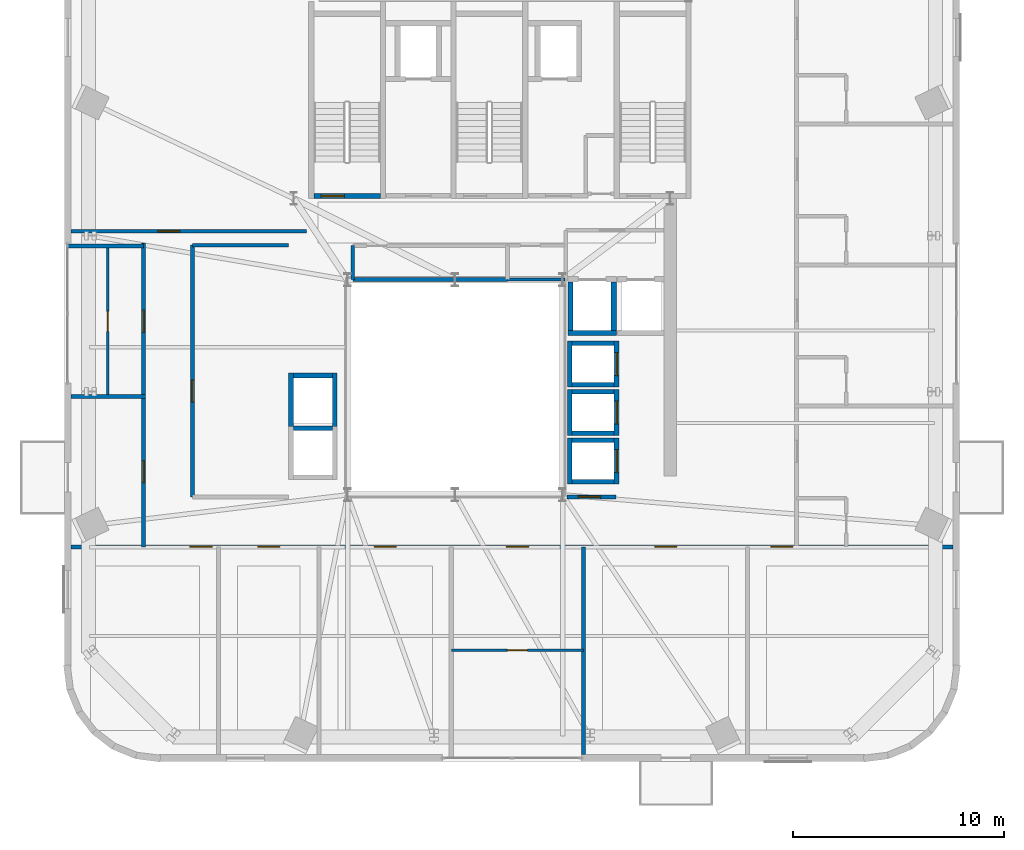
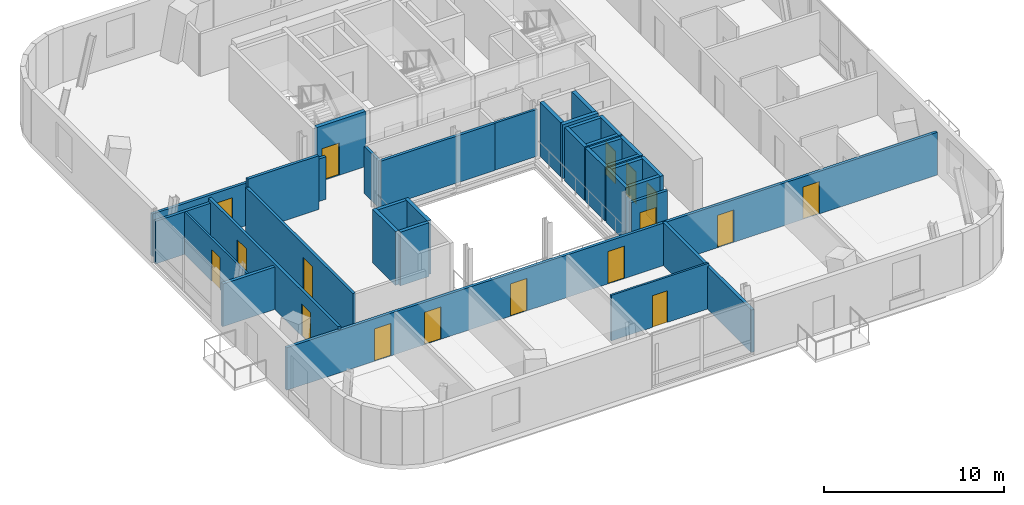
# One storey, part 6 of 14: 34 walls, 17 doors, 17 openings.
"""IFC4 building model written with IfcOpenShell, lengths in metres."""

from ifc_helpers import new_model, si_unit, direction, frame, frame_2d, origin, place, context, subcontext, project, spatial, rectangle, extrude, source, transform, mapped, material, layer, layer_set, type_object, element, fill, save


model = new_model("IFC4")

# Units and contexts
model_context = context("Model", 3, precision=1e-05, world=origin(), true_north=direction((0.0, 1.0)))
body_context = subcontext(model_context, "Body", "Model", "MODEL_VIEW")
ifc_project = project(units=[si_unit("LENGTHUNIT", "METRE"), si_unit("AREAUNIT", "SQUARE_METRE"), si_unit("VOLUMEUNIT", "CUBIC_METRE"), si_unit("PLANEANGLEUNIT", "RADIAN"), si_unit("MASSUNIT", "GRAM", prefix="KILO")], contexts=[model_context])

# Site, building, storey
site_placement = place(None, origin())
site = spatial("IfcSite", under=ifc_project, at=site_placement, CompositionType="ELEMENT")
building_placement = place(site_placement, origin())
building = spatial("IfcBuilding", under=site, at=building_placement, Name="Vardaveli Station Tower", CompositionType="ELEMENT")
storey_placement = place(building_placement, frame((0.0, 0.0, 270.35009765625)))
storey = spatial("IfcBuildingStorey", under=building, at=storey_placement, Name="L69", CompositionType="ELEMENT", Elevation=270.35009765625)

# Wall, opening, door
ifc_material_1 = material(Name="Concrete C40/50", Category="concrete")
ifc_layer_1 = layer(ifc_material_1, 0.25, Name="Concrete C40/50")
ifc_layer_set_1 = layer_set([ifc_layer_1], Name="Concrete C40/50")
wall_type_1 = type_object("IfcWallType", Name="WAL-SHAFT-250", PredefinedType="SOLIDWALL", material=ifc_layer_set_1)
shared_shape_1 = source(origin(), body_context, "Body", "SweptSolid", [
    extrude(rectangle(XDim=3.14990234375, YDim=0.25, at=frame_2d((1.574951171875, 0.0))), origin(), (0.0, 0.0, 1.0), 3.75),
])
wall_1_placement = place(storey_placement, frame((29.60009765625, 30.77490234375, 0.0), z_axis=(0.0, 0.0, 1.0), x_axis=(1.0, 0.0, 0.0)))
wall_1 = element("IfcWall", 1, at=wall_1_placement, inside=storey, type_object=wall_type_1, Name="W-L69-ST-1S", PredefinedType="SOLIDWALL", context=body_context, shape_type="MappedRepresentation", body=[
    mapped(shared_shape_1, transform((0.0, 0.0, 0.0), scale=1.0)),
])
shared_shape_2 = source(origin(), body_context, "Body", "SweptSolid", [
    extrude(rectangle(XDim=1.10009765625, YDim=2.199951171875, at=frame_2d((0.550048828125, 1.10009765625))), frame((0.0, 0.135009765625, 0.0), z_axis=(0.0, -1.0, 0.0), x_axis=(1.0, 0.0, 0.0)), (0.0, 0.0, 1.0), 0.27001953125),
])
opening_1_placement = place(wall_1_placement, frame((0.35009765625, 0.0, 0.0)))
opening_1 = element("IfcOpeningElement", 2, at=opening_1_placement, cuts=wall_1, Name="Opening D-04", PredefinedType="OPENING", context=body_context, shape_type="MappedRepresentation", body=[
    mapped(shared_shape_2, transform((0.0, 0.0, 0.0), scale=1.0)),
])
ifc_material_2 = material(Name="Steel smokeproof fire doorset", Category="steel")
door_type_1 = type_object("IfcDoorType", Name="DR-ST-1100x2200", OperationType="NOTDEFINED", PredefinedType="DOOR", material=ifc_material_2)
shared_shape_3 = source(origin(), body_context, "Body", "SweptSolid", [
    extrude(rectangle(XDim=1.10009765625, YDim=2.199951171875, at=frame_2d((0.550048828125, 1.10009765625))), frame((0.0, 0.02490234375, 0.0), z_axis=(0.0, -1.0, 0.0), x_axis=(1.0, 0.0, 0.0)), (0.0, 0.0, 1.0), 0.050048828125),
])
door_1_placement = place(opening_1_placement, origin())
door_1 = element("IfcDoor", 3, at=door_1_placement, inside=storey, type_object=door_type_1, Name="DST-1-L69", OperationType="SINGLE_SWING_LEFT", OverallHeight=2.199951171875, OverallWidth=1.10009765625, PredefinedType="DOOR", context=body_context, shape_type="MappedRepresentation", body=[
    mapped(shared_shape_3, transform((0.0, 0.0, 0.0), scale=1.0)),
])
fill(opening_1, door_1)

# Walls
ifc_layer_2 = layer(ifc_material_1, 0.219970703125, Name="Concrete C40/50")
ifc_layer_set_2 = layer_set([ifc_layer_2], Name="Concrete C40/50")
wall_type_2 = type_object("IfcWallType", Name="WAL-FFLOBBY-220", PredefinedType="SOLIDWALL", material=ifc_layer_set_2)
shared_shape_4 = source(origin(), body_context, "Body", "SweptSolid", [
    extrude(rectangle(XDim=2.0, YDim=0.219970703125, at=frame_2d((1.0, 0.0))), origin(), (0.0, 0.0, 1.0), 3.64990234375),
])
for number, where, z_axis, x_axis, name in (
    (4, (41.85009765625, 21.81494140625, 0.0), (0.0, 0.0, 1.0), (1.0, 0.0, 0.0), "SHW-HL3-01-L69-S"),
    (5, (41.85009765625, 23.784912109375, 0.0), (0.0, 0.0, 1.0), (1.0, 0.0, 0.0), "SHW-HL3-01-L69-N"),
    (6, (41.85009765625, 19.514892578125, 0.0), (0.0, 0.0, 1.0), (1.0, 0.0, 0.0), "SHW-HL3-02-L69-S"),
    (7, (41.85009765625, 21.485107421875, 0.0), (0.0, 0.0, 1.0), (1.0, 0.0, 0.0), "SHW-HL3-02-L69-N"),
    (8, (41.85009765625, 17.215087890625, 0.0), (0.0, 0.0, 1.0), (1.0, 0.0, 0.0), "SHW-HL3-03-L69-S"),
    (9, (41.85009765625, 19.18505859375, 0.0), (0.0, 0.0, 1.0), (1.0, 0.0, 0.0), "SHW-HL3-03-L69-N"),
):
    element("IfcWall", number, at=place(storey_placement, frame(where, z_axis=z_axis, x_axis=x_axis)), inside=storey, type_object=wall_type_2, Name=name, PredefinedType="SOLIDWALL", context=body_context, shape_type="MappedRepresentation", body=[
        mapped(shared_shape_4, transform((0.0, 0.0, 0.0), scale=1.0)),
    ])
shared_shape_5 = source(origin(), body_context, "Body", "SweptSolid", [
    extrude(rectangle(XDim=2.18994140625, YDim=0.219970703125, at=frame_2d((1.094970703125, 0.0))), origin(), (0.0, 0.0, 1.0), 3.64990234375),
])
wall_2_placement = place(storey_placement, frame((41.739990234375, 21.705078125, 0.0), z_axis=(0.0, 0.0, 1.0), x_axis=(0.0, 1.0, 0.0)))
element("IfcWall", 10, at=wall_2_placement, inside=storey, type_object=wall_type_2, Name="SHW-HL3-01-L69-W", PredefinedType="SOLIDWALL", context=body_context, shape_type="MappedRepresentation", body=[
    mapped(shared_shape_5, transform((0.0, 0.0, 0.0), scale=1.0)),
])

# Wall, opening, door
wall_3_placement = place(storey_placement, frame((43.9599609375, 21.705078125, 0.0), z_axis=(0.0, 0.0, 1.0), x_axis=(0.0, 1.0, 0.0)))
wall_3 = element("IfcWall", 11, at=wall_3_placement, inside=storey, type_object=wall_type_2, Name="SHW-HL3-01-L69-E", PredefinedType="SOLIDWALL", context=body_context, shape_type="MappedRepresentation", body=[
    mapped(shared_shape_5, transform((0.0, 0.0, 0.0), scale=1.0)),
])
shared_shape_6 = source(origin(), body_context, "Body", "SweptSolid", [
    extrude(rectangle(XDim=1.10009765625, YDim=2.199951171875, at=frame_2d((0.550048828125, 1.10009765625))), frame((0.0, 0.1201171875, 0.0), z_axis=(0.0, -1.0, 0.0), x_axis=(1.0, 0.0, 0.0)), (0.0, 0.0, 1.0), 0.239990234375),
])
opening_2_placement = place(wall_3_placement, frame((0.544921875, 0.0, 0.0)))
opening_2 = element("IfcOpeningElement", 12, at=opening_2_placement, cuts=wall_3, Name="Opening LD-01", PredefinedType="OPENING", context=body_context, shape_type="MappedRepresentation", body=[
    mapped(shared_shape_6, transform((0.0, 0.0, 0.0), scale=1.0)),
])
ifc_material_3 = material(Name="Brushed stainless steel", Category="steel")
door_type_2 = type_object("IfcDoorType", Name="DR-LD-1100x2200", OperationType="DOUBLE_DOOR_SLIDING", PredefinedType="DOOR", material=ifc_material_3)
door_2_placement = place(opening_2_placement, origin())
door_2 = element("IfcDoor", 13, at=door_2_placement, inside=storey, type_object=door_type_2, Name="LD-HL3-01-L69", OperationType="DOUBLE_DOOR_SLIDING", OverallHeight=2.199951171875, OverallWidth=1.10009765625, PredefinedType="DOOR", context=body_context, shape_type="MappedRepresentation", body=[
    mapped(shared_shape_3, transform((0.0, 0.0, 0.0), scale=1.0)),
])
fill(opening_2, door_2)

# Wall
wall_4_placement = place(storey_placement, frame((41.739990234375, 19.405029296875, 0.0), z_axis=(0.0, 0.0, 1.0), x_axis=(0.0, 1.0, 0.0)))
element("IfcWall", 14, at=wall_4_placement, inside=storey, type_object=wall_type_2, Name="SHW-HL3-02-L69-W", PredefinedType="SOLIDWALL", context=body_context, shape_type="MappedRepresentation", body=[
    mapped(shared_shape_5, transform((0.0, 0.0, 0.0), scale=1.0)),
])

# Wall, opening, door
wall_5_placement = place(storey_placement, frame((43.9599609375, 19.405029296875, 0.0), z_axis=(0.0, 0.0, 1.0), x_axis=(0.0, 1.0, 0.0)))
wall_5 = element("IfcWall", 15, at=wall_5_placement, inside=storey, type_object=wall_type_2, Name="SHW-HL3-02-L69-E", PredefinedType="SOLIDWALL", context=body_context, shape_type="MappedRepresentation", body=[
    mapped(shared_shape_5, transform((0.0, 0.0, 0.0), scale=1.0)),
])
opening_3_placement = place(wall_5_placement, frame((0.544921875, 0.0, 0.0)))
opening_3 = element("IfcOpeningElement", 16, at=opening_3_placement, cuts=wall_5, Name="Opening LD-01", PredefinedType="OPENING", context=body_context, shape_type="MappedRepresentation", body=[
    mapped(shared_shape_6, transform((0.0, 0.0, 0.0), scale=1.0)),
])
door_3_placement = place(opening_3_placement, origin())
door_3 = element("IfcDoor", 17, at=door_3_placement, inside=storey, type_object=door_type_2, Name="LD-HL3-02-L69", OperationType="DOUBLE_DOOR_SLIDING", OverallHeight=2.199951171875, OverallWidth=1.10009765625, PredefinedType="DOOR", context=body_context, shape_type="MappedRepresentation", body=[
    mapped(shared_shape_3, transform((0.0, 0.0, 0.0), scale=1.0)),
])
fill(opening_3, door_3)

# Wall
wall_6_placement = place(storey_placement, frame((41.739990234375, 17.10498046875, 0.0), z_axis=(0.0, 0.0, 1.0), x_axis=(0.0, 1.0, 0.0)))
element("IfcWall", 18, at=wall_6_placement, inside=storey, type_object=wall_type_2, Name="SHW-HL3-03-L69-W", PredefinedType="SOLIDWALL", context=body_context, shape_type="MappedRepresentation", body=[
    mapped(shared_shape_5, transform((0.0, 0.0, 0.0), scale=1.0)),
])

# Wall, opening, door
wall_7_placement = place(storey_placement, frame((43.9599609375, 17.10498046875, 0.0), z_axis=(0.0, 0.0, 1.0), x_axis=(0.0, 1.0, 0.0)))
wall_7 = element("IfcWall", 19, at=wall_7_placement, inside=storey, type_object=wall_type_2, Name="SHW-HL3-03-L69-E", PredefinedType="SOLIDWALL", context=body_context, shape_type="MappedRepresentation", body=[
    mapped(shared_shape_5, transform((0.0, 0.0, 0.0), scale=1.0)),
])
opening_4_placement = place(wall_7_placement, frame((0.544921875, 0.0, 0.0)))
opening_4 = element("IfcOpeningElement", 20, at=opening_4_placement, cuts=wall_7, Name="Opening LD-01", PredefinedType="OPENING", context=body_context, shape_type="MappedRepresentation", body=[
    mapped(shared_shape_6, transform((0.0, 0.0, 0.0), scale=1.0)),
])
door_4_placement = place(opening_4_placement, origin())
door_4 = element("IfcDoor", 21, at=door_4_placement, inside=storey, type_object=door_type_2, Name="LD-HL3-03-L69", OperationType="DOUBLE_DOOR_SLIDING", OverallHeight=2.199951171875, OverallWidth=1.10009765625, PredefinedType="DOOR", context=body_context, shape_type="MappedRepresentation", body=[
    mapped(shared_shape_3, transform((0.0, 0.0, 0.0), scale=1.0)),
])
fill(opening_4, door_4)

# Walls
shared_shape_7 = source(origin(), body_context, "Body", "SweptSolid", [
    extrude(rectangle(XDim=1.85009765625, YDim=0.219970703125, at=frame_2d((0.925048828125, 0.0))), origin(), (0.0, 0.0, 1.0), 3.64990234375),
])
for number, where, z_axis, x_axis, name in (
    (22, (28.625, 19.760009765625, 0.0), (0.0, 0.0, 1.0), (1.0, 0.0, 0.0), "SHW-OBS-01-L69-N"),
    (23, (28.625, 22.260009765625, 0.0), (0.0, 0.0, 1.0), (1.0, 0.0, 0.0), "SHW-OBS-02-L69-N"),
):
    element("IfcWall", number, at=place(storey_placement, frame(where, z_axis=z_axis, x_axis=x_axis)), inside=storey, type_object=wall_type_2, Name=name, PredefinedType="SOLIDWALL", context=body_context, shape_type="MappedRepresentation", body=[
        mapped(shared_shape_7, transform((0.0, 0.0, 0.0), scale=1.0)),
    ])
shared_shape_8 = source(origin(), body_context, "Body", "SweptSolid", [
    extrude(rectangle(XDim=2.5400390625, YDim=0.219970703125, at=frame_2d((1.27001953125, 0.0))), origin(), (0.0, 0.0, 1.0), 3.64990234375),
])
for number, where, z_axis, x_axis, name in (
    (24, (28.514892578125, 19.830078125, 0.0), (0.0, 0.0, 1.0), (0.0, 1.0, 0.0), "SHW-OBS-02-L69-W"),
    (25, (30.5849609375, 19.830078125, 0.0), (0.0, 0.0, 1.0), (0.0, 1.0, 0.0), "SHW-OBS-02-L69-E"),
):
    element("IfcWall", number, at=place(storey_placement, frame(where, z_axis=z_axis, x_axis=x_axis)), inside=storey, type_object=wall_type_2, Name=name, PredefinedType="SOLIDWALL", context=body_context, shape_type="MappedRepresentation", body=[
        mapped(shared_shape_8, transform((0.0, 0.0, 0.0), scale=1.0)),
    ])
shared_shape_9 = source(origin(), body_context, "Body", "SweptSolid", [
    extrude(rectangle(XDim=2.300048828125, YDim=0.25, at=frame_2d((1.14990234375, 0.0))), origin(), (0.0, 0.0, 1.0), 3.64990234375),
])
for number, where, z_axis, x_axis, name in (
    (26, (41.64990234375, 24.27490234375, 0.0), (0.0, 0.0, 1.0), (1.0, 0.0, 0.0), "SHW-SRV-01-L69-S"),
    (27, (41.77490234375, 24.39990234375, 0.0), (0.0, 0.0, 1.0), (0.0, 1.0, 0.0), "SHW-SRV-01-L69-W"),
    (28, (43.824951171875, 24.39990234375, 0.0), (0.0, 0.0, 1.0), (0.0, 1.0, 0.0), "SHW-SRV-01-L69-E"),
):
    element("IfcWall", number, at=place(storey_placement, frame(where, z_axis=z_axis, x_axis=x_axis)), inside=storey, type_object=wall_type_1, Name=name, PredefinedType="SOLIDWALL", context=body_context, shape_type="MappedRepresentation", body=[
        mapped(shared_shape_9, transform((0.0, 0.0, 0.0), scale=1.0)),
    ])
ifc_material_4 = material(Name="Fire-rated gypsum stud partition")
ifc_layer_3 = layer(ifc_material_4, 0.179931640625, Name="Fire-rated gypsum stud partition")
ifc_layer_set_3 = layer_set([ifc_layer_3], Name="Fire-rated gypsum stud partition")
wall_type_3 = type_object("IfcWallType", Name="WAL-CORR-180", PredefinedType="PARTITIONING", material=ifc_layer_set_3)
shared_shape_10 = source(origin(), body_context, "Body", "SweptSolid", [
    extrude(rectangle(XDim=7.330078125, YDim=0.179931640625, at=frame_2d((3.6650390625, 0.0))), origin(), (0.0, 0.0, 1.0), 3.19189453125),
])
wall_8_placement = place(storey_placement, frame((31.449951171875, 26.820068359375, 0.0), z_axis=(0.0, 0.0, 1.0), x_axis=(1.0, 0.0, 0.0)))
element("IfcWall", 29, at=wall_8_placement, inside=storey, type_object=wall_type_3, Name="W-L69-HKP0-S", PredefinedType="PARTITIONING", context=body_context, shape_type="MappedRepresentation", body=[
    mapped(shared_shape_10, transform((0.0, 0.0, 0.0), scale=1.0)),
])

# Wall, opening, door
shared_shape_11 = source(origin(), body_context, "Body", "SweptSolid", [
    extrude(rectangle(XDim=2.329833984375, YDim=0.179931640625, at=frame_2d((1.1650390625, 0.0))), origin(), (0.0, 0.0, 1.0), 3.091796875),
])
wall_9_placement = place(storey_placement, frame((41.60009765625, 16.5, 0.0), z_axis=(0.0, 0.0, 1.0), x_axis=(1.0, 0.0, 0.0)))
wall_9 = element("IfcWall", 30, at=wall_9_placement, inside=storey, type_object=wall_type_3, Name="W-L69-ATE-S", PredefinedType="PARTITIONING", context=body_context, shape_type="MappedRepresentation", body=[
    mapped(shared_shape_11, transform((0.0, 0.0, 0.0), scale=1.0)),
])
shared_shape_12 = source(origin(), body_context, "Body", "SweptSolid", [
    extrude(rectangle(XDim=1.050048828125, YDim=2.199951171875, at=frame_2d((0.52490234375, 1.10009765625))), frame((0.0, 0.10009765625, 0.0), z_axis=(0.0, -1.0, 0.0), x_axis=(1.0, 0.0, 0.0)), (0.0, 0.0, 1.0), 0.199951171875),
])
opening_5_placement = place(wall_9_placement, frame((0.550048828125, 0.0, 0.0)))
opening_5 = element("IfcOpeningElement", 31, at=opening_5_placement, cuts=wall_9, Name="Opening D-05", PredefinedType="OPENING", context=body_context, shape_type="MappedRepresentation", body=[
    mapped(shared_shape_12, transform((0.0, 0.0, 0.0), scale=1.0)),
])
ifc_material_5 = material(Name="Walnut veneer acoustic fire door")
door_type_3 = type_object("IfcDoorType", Name="DR-SUITE-1050x2200", OperationType="NOTDEFINED", PredefinedType="DOOR", material=ifc_material_5)
shared_shape_13 = source(origin(), body_context, "Body", "SweptSolid", [
    extrude(rectangle(XDim=1.050048828125, YDim=2.199951171875, at=frame_2d((0.52490234375, 1.10009765625))), frame((0.0, 0.02490234375, 0.0), z_axis=(0.0, -1.0, 0.0), x_axis=(1.0, 0.0, 0.0)), (0.0, 0.0, 1.0), 0.050048828125),
])
door_5_placement = place(opening_5_placement, origin())
door_5 = element("IfcDoor", 32, at=door_5_placement, inside=storey, type_object=door_type_3, Name="D-L69-ATE1", OperationType="SINGLE_SWING_RIGHT", OverallHeight=2.199951171875, OverallWidth=1.050048828125, PredefinedType="DOOR", context=body_context, shape_type="MappedRepresentation", body=[
    mapped(shared_shape_13, transform((0.0, 0.0, 0.0), scale=1.0)),
])
fill(opening_5, door_5)

# Walls
shared_shape_14 = source(origin(), body_context, "Body", "SweptSolid", [
    extrude(rectangle(XDim=1.599853515625, YDim=0.179931640625, at=frame_2d((0.7998046875, 0.0))), origin(), (0.0, 0.0, 1.0), 3.19189453125),
])
wall_10_placement = place(storey_placement, frame((31.449951171875, 26.820068359375, 0.0), z_axis=(0.0, 0.0, 1.0), x_axis=(0.0, 1.0, 0.0)))
element("IfcWall", 33, at=wall_10_placement, inside=storey, type_object=wall_type_3, Name="W-L69-HKP0-W", PredefinedType="PARTITIONING", context=body_context, shape_type="MappedRepresentation", body=[
    mapped(shared_shape_14, transform((0.0, 0.0, 0.0), scale=1.0)),
])
ifc_material_6 = material(Name="Moisture-resistant stud partition")
ifc_layer_4 = layer(ifc_material_6, 0.14990234375, Name="Moisture-resistant stud partition")
ifc_layer_set_4 = layer_set([ifc_layer_4], Name="Moisture-resistant stud partition")
wall_type_4 = type_object("IfcWallType", Name="WAL-WET-150", PredefinedType="PARTITIONING", material=ifc_layer_set_4)
shared_shape_15 = source(origin(), body_context, "Body", "SweptSolid", [
    extrude(rectangle(XDim=2.739990234375, YDim=0.14990234375, at=frame_2d((1.3701171875, 0.0))), origin(), (0.0, 0.0, 1.0), 3.19189453125),
])
wall_11_placement = place(storey_placement, frame((38.780029296875, 26.820068359375, 0.0), z_axis=(0.0, 0.0, 1.0), x_axis=(1.0, 0.0, 0.0)))
element("IfcWall", 34, at=wall_11_placement, inside=storey, type_object=wall_type_4, Name="W-L69-WCA0-S", PredefinedType="PARTITIONING", context=body_context, shape_type="MappedRepresentation", body=[
    mapped(shared_shape_15, transform((0.0, 0.0, 0.0), scale=1.0)),
])

# Wall, openings, doors
shared_shape_16 = source(origin(), body_context, "Body", "SweptSolid", [
    extrude(rectangle(XDim=41.8359375, YDim=0.179931640625, at=frame_2d((20.91796875, 0.0))), origin(), (0.0, 0.0, 1.0), 2.891845703125),
])
wall_12_placement = place(storey_placement, frame((18.08203125, 14.1298828125, 0.0), z_axis=(0.0, 0.0, 1.0), x_axis=(1.0, 0.0, 0.0)))
wall_12 = element("IfcWall", 35, at=wall_12_placement, inside=storey, type_object=wall_type_3, Name="W-L69-CS", PredefinedType="PARTITIONING", context=body_context, shape_type="MappedRepresentation", body=[
    mapped(shared_shape_16, transform((0.0, 0.0, 0.0), scale=1.0)),
])
opening_6_placement = place(wall_12_placement, frame((5.641357421875, 0.0, 0.0)))
opening_6 = element("IfcOpeningElement", 36, at=opening_6_placement, cuts=wall_12, Name="Opening D-05", PredefinedType="OPENING", context=body_context, shape_type="MappedRepresentation", body=[
    mapped(shared_shape_12, transform((0.0, 0.0, 0.0), scale=1.0)),
])
opening_7_placement = place(wall_12_placement, frame((8.8583984375, 0.0, 0.0)))
opening_7 = element("IfcOpeningElement", 37, at=opening_7_placement, cuts=wall_12, Name="Opening D-05", PredefinedType="OPENING", context=body_context, shape_type="MappedRepresentation", body=[
    mapped(shared_shape_12, transform((0.0, 0.0, 0.0), scale=1.0)),
])
opening_8_placement = place(wall_12_placement, frame((14.382568359375, 0.0, 0.0)))
opening_8 = element("IfcOpeningElement", 38, at=opening_8_placement, cuts=wall_12, Name="Opening D-05", PredefinedType="OPENING", context=body_context, shape_type="MappedRepresentation", body=[
    mapped(shared_shape_12, transform((0.0, 0.0, 0.0), scale=1.0)),
])
opening_9_placement = place(wall_12_placement, frame((20.65673828125, 0.0, 0.0)))
opening_9 = element("IfcOpeningElement", 39, at=opening_9_placement, cuts=wall_12, Name="Opening D-05", PredefinedType="OPENING", context=body_context, shape_type="MappedRepresentation", body=[
    mapped(shared_shape_12, transform((0.0, 0.0, 0.0), scale=1.0)),
])
opening_10_placement = place(wall_12_placement, frame((27.680908203125, 0.0, 0.0)))
opening_10 = element("IfcOpeningElement", 40, at=opening_10_placement, cuts=wall_12, Name="Opening D-05", PredefinedType="OPENING", context=body_context, shape_type="MappedRepresentation", body=[
    mapped(shared_shape_12, transform((0.0, 0.0, 0.0), scale=1.0)),
])
opening_11_placement = place(wall_12_placement, frame((33.18798828125, 0.0, 0.0)))
opening_11 = element("IfcOpeningElement", 41, at=opening_11_placement, cuts=wall_12, Name="Opening D-05", PredefinedType="OPENING", context=body_context, shape_type="MappedRepresentation", body=[
    mapped(shared_shape_12, transform((0.0, 0.0, 0.0), scale=1.0)),
])
door_6_placement = place(opening_6_placement, origin())
door_6 = element("IfcDoor", 42, at=door_6_placement, inside=storey, type_object=door_type_3, Name="D-L69-SA1", OperationType="SINGLE_SWING_RIGHT", OverallHeight=2.199951171875, OverallWidth=1.050048828125, PredefinedType="DOOR", context=body_context, shape_type="MappedRepresentation", body=[
    mapped(shared_shape_13, transform((0.0, 0.0, 0.0), scale=1.0)),
])
fill(opening_6, door_6)
door_7_placement = place(opening_7_placement, origin())
door_7 = element("IfcDoor", 43, at=door_7_placement, inside=storey, type_object=door_type_3, Name="D-L69-SA2", OperationType="SINGLE_SWING_LEFT", OverallHeight=2.199951171875, OverallWidth=1.050048828125, PredefinedType="DOOR", context=body_context, shape_type="MappedRepresentation", body=[
    mapped(shared_shape_13, transform((0.0, 0.0, 0.0), scale=1.0)),
])
fill(opening_7, door_7)
door_8_placement = place(opening_8_placement, origin())
door_8 = element("IfcDoor", 44, at=door_8_placement, inside=storey, type_object=door_type_3, Name="D-L69-SA3", OperationType="SINGLE_SWING_RIGHT", OverallHeight=2.199951171875, OverallWidth=1.050048828125, PredefinedType="DOOR", context=body_context, shape_type="MappedRepresentation", body=[
    mapped(shared_shape_13, transform((0.0, 0.0, 0.0), scale=1.0)),
])
fill(opening_8, door_8)
door_9_placement = place(opening_9_placement, origin())
door_9 = element("IfcDoor", 45, at=door_9_placement, inside=storey, type_object=door_type_3, Name="D-L69-SCB4", OperationType="SINGLE_SWING_LEFT", OverallHeight=2.199951171875, OverallWidth=1.050048828125, PredefinedType="DOOR", context=body_context, shape_type="MappedRepresentation", body=[
    mapped(shared_shape_13, transform((0.0, 0.0, 0.0), scale=1.0)),
])
fill(opening_9, door_9)
door_10_placement = place(opening_10_placement, origin())
door_10 = element("IfcDoor", 46, at=door_10_placement, inside=storey, type_object=door_type_3, Name="D-L69-SA5", OperationType="SINGLE_SWING_RIGHT", OverallHeight=2.199951171875, OverallWidth=1.050048828125, PredefinedType="DOOR", context=body_context, shape_type="MappedRepresentation", body=[
    mapped(shared_shape_13, transform((0.0, 0.0, 0.0), scale=1.0)),
])
fill(opening_10, door_10)
door_11_placement = place(opening_11_placement, origin())
door_11 = element("IfcDoor", 47, at=door_11_placement, inside=storey, type_object=door_type_3, Name="D-L69-SA6", OperationType="SINGLE_SWING_LEFT", OverallHeight=2.199951171875, OverallWidth=1.050048828125, PredefinedType="DOOR", context=body_context, shape_type="MappedRepresentation", body=[
    mapped(shared_shape_13, transform((0.0, 0.0, 0.0), scale=1.0)),
])
fill(opening_11, door_11)

shared_shape_17 = source(origin(), body_context, "Body", "SweptSolid", [
    extrude(rectangle(XDim=14.420166015625, YDim=0.179931640625, at=frame_2d((7.2099609375, 0.0))), origin(), (0.0, 0.0, 1.0), 3.091796875),
])
wall_13_placement = place(storey_placement, frame((21.52001953125, 14.1298828125, 0.0), z_axis=(0.0, 0.0, 1.0), x_axis=(0.0, 1.0, 0.0)))
wall_13 = element("IfcWall", 48, at=wall_13_placement, inside=storey, type_object=wall_type_3, Name="W-L69-CW", PredefinedType="PARTITIONING", context=body_context, shape_type="MappedRepresentation", body=[
    mapped(shared_shape_17, transform((0.0, 0.0, 0.0), scale=1.0)),
])
opening_12_placement = place(wall_13_placement, frame((3.047607421875, 0.0, 0.0)))
opening_12 = element("IfcOpeningElement", 49, at=opening_12_placement, cuts=wall_13, Name="Opening D-05", PredefinedType="OPENING", context=body_context, shape_type="MappedRepresentation", body=[
    mapped(shared_shape_12, transform((0.0, 0.0, 0.0), scale=1.0)),
])
opening_13_placement = place(wall_13_placement, frame((10.1826171875, 0.0, 0.0)))
opening_13 = element("IfcOpeningElement", 50, at=opening_13_placement, cuts=wall_13, Name="Opening D-05", PredefinedType="OPENING", context=body_context, shape_type="MappedRepresentation", body=[
    mapped(shared_shape_12, transform((0.0, 0.0, 0.0), scale=1.0)),
])
door_12_placement = place(opening_12_placement, origin())
door_12 = element("IfcDoor", 51, at=door_12_placement, inside=storey, type_object=door_type_3, Name="D-L69-GW1", OperationType="SINGLE_SWING_LEFT", OverallHeight=2.199951171875, OverallWidth=1.050048828125, PredefinedType="DOOR", context=body_context, shape_type="MappedRepresentation", body=[
    mapped(shared_shape_13, transform((0.0, 0.0, 0.0), scale=1.0)),
])
fill(opening_12, door_12)
door_13_placement = place(opening_13_placement, origin())
door_13 = element("IfcDoor", 52, at=door_13_placement, inside=storey, type_object=door_type_3, Name="D-L69-GW2", OperationType="SINGLE_SWING_RIGHT", OverallHeight=2.199951171875, OverallWidth=1.050048828125, PredefinedType="DOOR", context=body_context, shape_type="MappedRepresentation", body=[
    mapped(shared_shape_13, transform((0.0, 0.0, 0.0), scale=1.0)),
])
fill(opening_13, door_13)

# Wall, opening, door
shared_shape_18 = source(origin(), body_context, "Body", "SweptSolid", [
    extrude(rectangle(XDim=11.93994140625, YDim=0.179931640625, at=frame_2d((5.969970703125, 0.0))), origin(), (0.0, 0.0, 1.0), 3.091796875),
])
wall_14_placement = place(storey_placement, frame((23.840087890625, 16.5, 0.0), z_axis=(0.0, 0.0, 1.0), x_axis=(0.0, 1.0, 0.0)))
wall_14 = element("IfcWall", 53, at=wall_14_placement, inside=storey, type_object=wall_type_3, Name="W-L69-ATW-W", PredefinedType="PARTITIONING", context=body_context, shape_type="MappedRepresentation", body=[
    mapped(shared_shape_18, transform((0.0, 0.0, 0.0), scale=1.0)),
])
opening_14_placement = place(wall_14_placement, frame((4.5, 0.0, 0.0)))
opening_14 = element("IfcOpeningElement", 54, at=opening_14_placement, cuts=wall_14, Name="Opening D-05", PredefinedType="OPENING", context=body_context, shape_type="MappedRepresentation", body=[
    mapped(shared_shape_12, transform((0.0, 0.0, 0.0), scale=1.0)),
])
door_14_placement = place(opening_14_placement, origin())
door_14 = element("IfcDoor", 55, at=door_14_placement, inside=storey, type_object=door_type_3, Name="D-L69-ATW1", OperationType="SINGLE_SWING_LEFT", OverallHeight=2.199951171875, OverallWidth=1.050048828125, PredefinedType="DOOR", context=body_context, shape_type="MappedRepresentation", body=[
    mapped(shared_shape_13, transform((0.0, 0.0, 0.0), scale=1.0)),
])
fill(opening_14, door_14)

shared_shape_19 = source(origin(), body_context, "Body", "SweptSolid", [
    extrude(rectangle(XDim=11.16796875, YDim=0.179931640625, at=frame_2d((5.583984375, 0.0))), origin(), (0.0, 0.0, 1.0), 2.891845703125),
])
wall_15_placement = place(storey_placement, frame((18.08203125, 29.10009765625, 0.0), z_axis=(0.0, 0.0, 1.0), x_axis=(1.0, 0.0, 0.0)))
wall_15 = element("IfcWall", 56, at=wall_15_placement, inside=storey, type_object=wall_type_3, Name="W-L69-CNWS", PredefinedType="PARTITIONING", context=body_context, shape_type="MappedRepresentation", body=[
    mapped(shared_shape_19, transform((0.0, 0.0, 0.0), scale=1.0)),
])
opening_15_placement = place(wall_15_placement, frame((4.117919921875, 0.0, 0.0)))
opening_15 = element("IfcOpeningElement", 57, at=opening_15_placement, cuts=wall_15, Name="Opening D-05", PredefinedType="OPENING", context=body_context, shape_type="MappedRepresentation", body=[
    mapped(shared_shape_12, transform((0.0, 0.0, 0.0), scale=1.0)),
])
door_15_placement = place(opening_15_placement, origin())
door_15 = element("IfcDoor", 58, at=door_15_placement, inside=storey, type_object=door_type_3, Name="D-L69-GNW1", OperationType="SINGLE_SWING_RIGHT", OverallHeight=2.199951171875, OverallWidth=1.050048828125, PredefinedType="DOOR", context=body_context, shape_type="MappedRepresentation", body=[
    mapped(shared_shape_13, transform((0.0, 0.0, 0.0), scale=1.0)),
])
fill(opening_15, door_15)

ifc_material_7 = material(Name="Gypsum board stud partition")
ifc_layer_5 = layer(ifc_material_7, 0.125, Name="Gypsum board stud partition")
ifc_layer_set_5 = layer_set([ifc_layer_5], Name="Gypsum board stud partition")
wall_type_5 = type_object("IfcWallType", Name="WAL-INT-125", PredefinedType="PARTITIONING", material=ifc_layer_set_5)
shared_shape_20 = source(origin(), body_context, "Body", "SweptSolid", [
    extrude(rectangle(XDim=7.135009765625, YDim=0.125, at=frame_2d((3.5673828125, 0.0))), origin(), (0.0, 0.0, 1.0), 2.891845703125),
])
wall_16_placement = place(storey_placement, frame((19.81494140625, 21.264892578125, 0.0), z_axis=(0.0, 0.0, 1.0), x_axis=(0.0, 1.0, 0.0)))
wall_16 = element("IfcWall", 59, at=wall_16_placement, inside=storey, type_object=wall_type_5, Name="W-L69-WCM2", PredefinedType="PARTITIONING", context=body_context, shape_type="MappedRepresentation", body=[
    mapped(shared_shape_20, transform((0.0, 0.0, 0.0), scale=1.0)),
])
shared_shape_21 = source(origin(), body_context, "Body", "SweptSolid", [
    extrude(rectangle(XDim=0.949951171875, YDim=2.14990234375, at=frame_2d((0.47509765625, 1.074951171875))), frame((0.0, 0.072509765625, 0.0), z_axis=(0.0, -1.0, 0.0), x_axis=(1.0, 0.0, 0.0)), (0.0, 0.0, 1.0), 0.14501953125),
])
opening_16_placement = place(wall_16_placement, frame((3.08740234375, 0.0, 0.0)))
opening_16 = element("IfcOpeningElement", 60, at=opening_16_placement, cuts=wall_16, Name="Opening D-11", PredefinedType="OPENING", context=body_context, shape_type="MappedRepresentation", body=[
    mapped(shared_shape_21, transform((0.0, 0.0, 0.0), scale=1.0)),
])
ifc_material_8 = material(Name="Oak veneer internal suite door")
door_type_4 = type_object("IfcDoorType", Name="DR-INT-950x2150", OperationType="NOTDEFINED", PredefinedType="DOOR", material=ifc_material_8)
shared_shape_22 = source(origin(), body_context, "Body", "SweptSolid", [
    extrude(rectangle(XDim=0.949951171875, YDim=2.14990234375, at=frame_2d((0.47509765625, 1.074951171875))), frame((0.0, 0.02490234375, 0.0), z_axis=(0.0, -1.0, 0.0), x_axis=(1.0, 0.0, 0.0)), (0.0, 0.0, 1.0), 0.050048828125),
])
door_16_placement = place(opening_16_placement, origin())
door_16 = element("IfcDoor", 61, at=door_16_placement, inside=storey, type_object=door_type_4, Name="D-L69-GWF2", OperationType="SINGLE_SWING_RIGHT", OverallHeight=2.14990234375, OverallWidth=0.949951171875, PredefinedType="DOOR", context=body_context, shape_type="MappedRepresentation", body=[
    mapped(shared_shape_22, transform((0.0, 0.0, 0.0), scale=1.0)),
])
fill(opening_16, door_16)

shared_shape_23 = source(origin(), body_context, "Body", "SweptSolid", [
    extrude(rectangle(XDim=6.27392578125, YDim=0.125, at=frame_2d((3.136962890625, 0.0))), origin(), (0.0, 0.0, 1.0), 3.091796875),
])
wall_17_placement = place(storey_placement, frame((36.1220703125, 9.219970703125, 0.0), z_axis=(0.0, 0.0, 1.0), x_axis=(1.0, 0.0, 0.0)))
wall_17 = element("IfcWall", 62, at=wall_17_placement, inside=storey, type_object=wall_type_5, Name="W-L69-SCM4", PredefinedType="PARTITIONING", context=body_context, shape_type="MappedRepresentation", body=[
    mapped(shared_shape_23, transform((0.0, 0.0, 0.0), scale=1.0)),
])
opening_17_placement = place(wall_17_placement, frame((2.656982421875, 0.0, 0.0)))
opening_17 = element("IfcOpeningElement", 63, at=opening_17_placement, cuts=wall_17, Name="Opening D-11", PredefinedType="OPENING", context=body_context, shape_type="MappedRepresentation", body=[
    mapped(shared_shape_21, transform((0.0, 0.0, 0.0), scale=1.0)),
])
door_17_placement = place(opening_17_placement, origin())
door_17 = element("IfcDoor", 64, at=door_17_placement, inside=storey, type_object=door_type_4, Name="D-L69-SCF4", OperationType="SINGLE_SWING_LEFT", OverallHeight=2.14990234375, OverallWidth=0.949951171875, PredefinedType="DOOR", context=body_context, shape_type="MappedRepresentation", body=[
    mapped(shared_shape_22, transform((0.0, 0.0, 0.0), scale=1.0)),
])
fill(opening_17, door_17)

# Walls
ifc_material_9 = material(Name="Acoustic twin-stud gypsum partition")
ifc_layer_6 = layer(ifc_material_9, 0.199951171875, Name="Acoustic twin-stud gypsum partition")
ifc_layer_set_6 = layer_set([ifc_layer_6], Name="Acoustic twin-stud gypsum partition")
wall_type_6 = type_object("IfcWallType", Name="WAL-PARTY-200", PredefinedType="PARTITIONING", material=ifc_layer_set_6)
shared_shape_24 = source(origin(), body_context, "Body", "SweptSolid", [
    extrude(rectangle(XDim=9.847900390625, YDim=0.199951171875, at=frame_2d((4.923828125, 0.0))), origin(), (0.0, 0.0, 1.0), 2.891845703125),
])
wall_18_placement = place(storey_placement, frame((42.39599609375, 4.281982421875, 0.0), z_axis=(0.0, 0.0, 1.0), x_axis=(0.0, 1.0, 0.0)))
element("IfcWall", 65, at=wall_18_placement, inside=storey, type_object=wall_type_6, Name="W-L69-PS4", PredefinedType="PARTITIONING", context=body_context, shape_type="MappedRepresentation", body=[
    mapped(shared_shape_24, transform((0.0, 0.0, 0.0), scale=1.0)),
])
shared_shape_25 = source(origin(), body_context, "Body", "SweptSolid", [
    extrude(rectangle(XDim=4.559814453125, YDim=0.179931640625, at=frame_2d((2.27978515625, 0.0))), origin(), (0.0, 0.0, 1.0), 3.64990234375),
])
wall_19_placement = place(storey_placement, frame((23.840087890625, 28.43994140625, 0.0), z_axis=(0.0, 0.0, 1.0), x_axis=(1.0, 0.0, 0.0)))
element("IfcWall", 66, at=wall_19_placement, inside=storey, type_object=wall_type_3, Name="W-L69-ATW-N", PredefinedType="PARTITIONING", context=body_context, shape_type="MappedRepresentation", body=[
    mapped(shared_shape_25, transform((0.0, 0.0, 0.0), scale=1.0)),
])
shared_shape_26 = source(origin(), body_context, "Body", "SweptSolid", [
    extrude(rectangle(XDim=3.5380859375, YDim=0.199951171875, at=frame_2d((1.76904296875, 0.0))), origin(), (0.0, 0.0, 1.0), 2.891845703125),
])
wall_20_placement = place(storey_placement, frame((18.08203125, 21.264892578125, 0.0), z_axis=(0.0, 0.0, 1.0), x_axis=(1.0, 0.0, 0.0)))
element("IfcWall", 67, at=wall_20_placement, inside=storey, type_object=wall_type_6, Name="W-L69-PW1", PredefinedType="PARTITIONING", context=body_context, shape_type="MappedRepresentation", body=[
    mapped(shared_shape_26, transform((0.0, 0.0, 0.0), scale=1.0)),
])
shared_shape_27 = source(origin(), body_context, "Body", "SweptSolid", [
    extrude(rectangle(XDim=3.630126953125, YDim=0.179931640625, at=frame_2d((1.81494140625, 0.0))), origin(), (0.0, 0.0, 1.0), 2.891845703125),
])
wall_21_placement = place(storey_placement, frame((17.889892578125, 28.39990234375, 0.0), z_axis=(0.0, 0.0, 1.0), x_axis=(1.0, 0.0, 0.0)))
element("IfcWall", 68, at=wall_21_placement, inside=storey, type_object=wall_type_3, Name="W-L69-CWN", PredefinedType="PARTITIONING", context=body_context, shape_type="MappedRepresentation", body=[
    mapped(shared_shape_27, transform((0.0, 0.0, 0.0), scale=1.0)),
])

save(model, "model.ifc")
